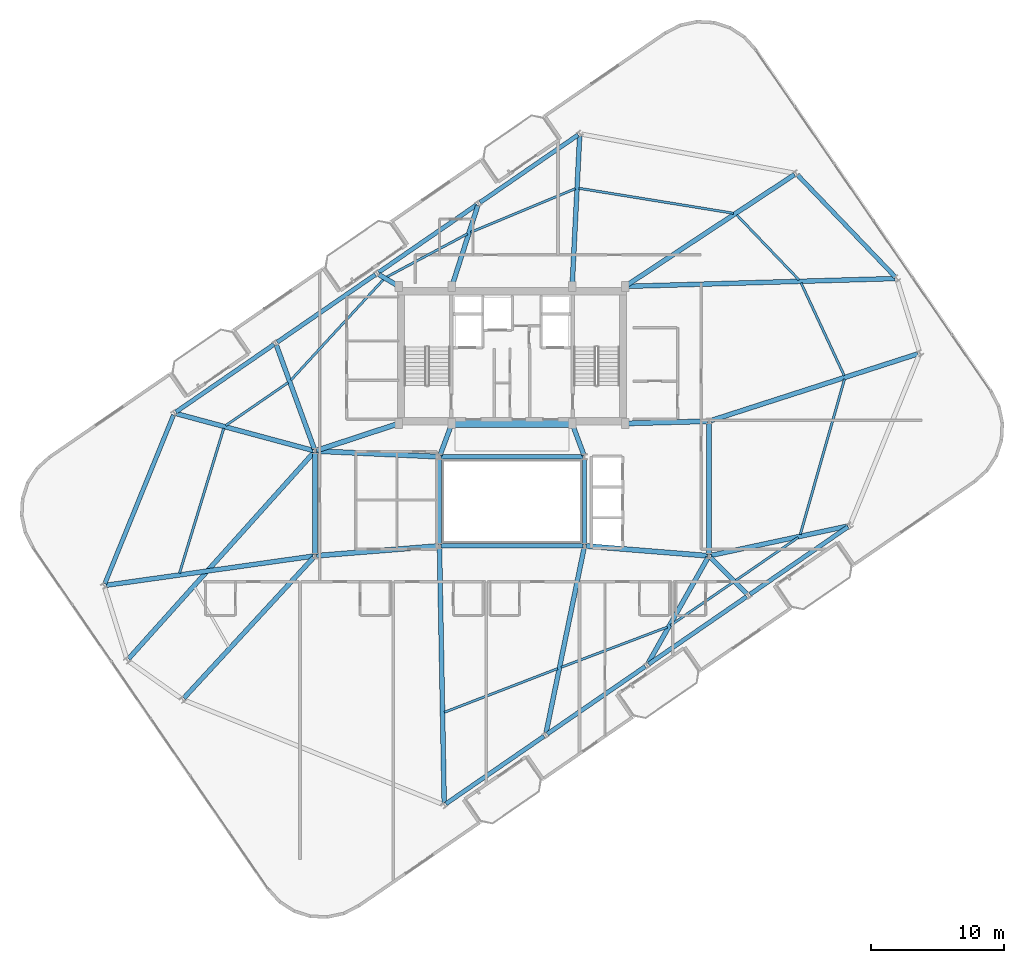
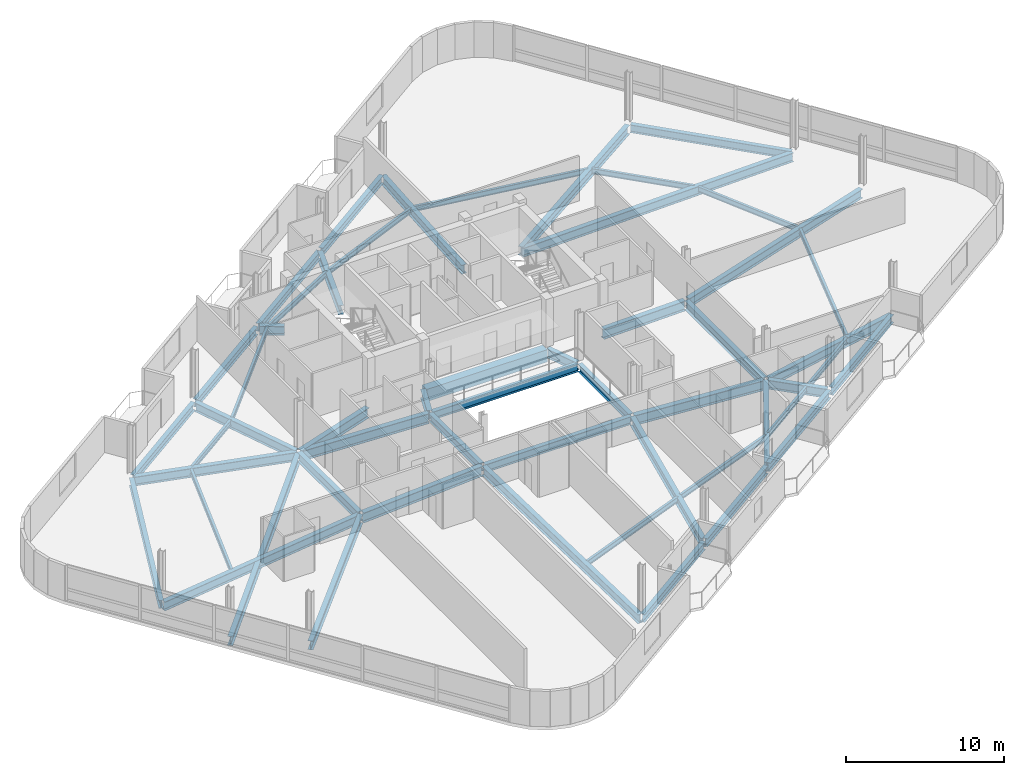
# One storey, part 7 of 22: 53 beams.
"""IFC4 building model written with IfcOpenShell, lengths in metres."""

from ifc_helpers import new_model, si_unit, direction, frame, origin, origin_2d, place, context, subcontext, project, spatial, rectangle, i_section, extrude, material, material_profile, profile_set, type_object, element, save


model = new_model("IFC4")

# Units and contexts
model_context = context("Model", 3, precision=1e-05, world=origin(), true_north=direction((0.0, 1.0)))
body_context = subcontext(model_context, "Body", "Model", "MODEL_VIEW")
ifc_project = project(units=[si_unit("LENGTHUNIT", "METRE"), si_unit("AREAUNIT", "SQUARE_METRE"), si_unit("VOLUMEUNIT", "CUBIC_METRE"), si_unit("PLANEANGLEUNIT", "RADIAN"), si_unit("MASSUNIT", "GRAM", prefix="KILO")], contexts=[model_context])

# Site, building, storey
site_placement = place(None, origin())
site = spatial("IfcSite", under=ifc_project, at=site_placement, CompositionType="ELEMENT")
building_placement = place(site_placement, origin())
building = spatial("IfcBuilding", under=site, at=building_placement, Name="Varnelok Gate Tower", CompositionType="ELEMENT")
storey_placement = place(building_placement, frame((0.0, 0.0, 284.10009765625)))
storey = spatial("IfcBuildingStorey", under=building, at=storey_placement, Name="L73", CompositionType="ELEMENT", Elevation=284.10009765625)

# Beams
ifc_material_1 = material(Name="Structural Steel ASTM A992 Grade 50", Category="steel")
ifc_material_profile_1 = material_profile(ifc_material_1, i_section(OverallWidth=0.180908203125, OverallDepth=0.4169921875, WebThickness=0.010986328125, FlangeThickness=0.018310546875, FilletRadius=0.013916015625, at=origin_2d()), Name="W16X57")
ifc_profile_set_1 = profile_set([ifc_material_profile_1], Name="Structural Steel ASTM A992 Grade 50")
beam_type_1 = type_object("IfcBeamType", Name="BM-JST-W16X57", PredefinedType="JOIST", material=ifc_profile_set_1)
beam_1_placement = place(storey_placement, frame((34.111083984375, 7.042724609375, -0.45849609375), z_axis=(0.933121499822, 0.359561213941, 0.0), x_axis=(-0.359561213941, 0.933121499822, 0.0)))
element("IfcBeam", 1, at=beam_1_placement, inside=storey, type_object=beam_type_1, Name="L73 Sector Floor Joist 1", PredefinedType="JOIST", context=body_context, shape_type="SweptSolid", body=[
    extrude(i_section(OverallWidth=0.180908203125, OverallDepth=0.4169921875, WebThickness=0.010986328125, FlangeThickness=0.018310546875, FilletRadius=0.013916015625, at=origin_2d()), origin(), (0.0, 0.0, 1.0), 9.132568359375),
])
beam_2_placement = place(storey_placement, frame((42.894287109375, 10.426513671875, -0.45849609375), z_axis=(0.935178851942, 0.354175824811, 0.0), x_axis=(-0.354175824811, 0.935178851942, 0.0)))
element("IfcBeam", 2, at=beam_2_placement, inside=storey, type_object=beam_type_1, Name="L73 Sector Floor Joist 2", PredefinedType="JOIST", context=body_context, shape_type="SweptSolid", body=[
    extrude(i_section(OverallWidth=0.180908203125, OverallDepth=0.4169921875, WebThickness=0.010986328125, FlangeThickness=0.018310546875, FilletRadius=0.013916015625, at=origin_2d()), origin(), (0.0, 0.0, 1.0), 8.5234375),
])
beam_3_placement = place(storey_placement, frame((51.111328125, 13.574462890625, -0.45849609375), z_axis=(0.823539247512, 0.567259295038, 0.0), x_axis=(-0.567259295038, 0.823539247512, 0.0)))
element("IfcBeam", 3, at=beam_3_placement, inside=storey, type_object=beam_type_1, Name="L73 Sector Floor Joist 3", PredefinedType="JOIST", context=body_context, shape_type="SweptSolid", body=[
    extrude(i_section(OverallWidth=0.180908203125, OverallDepth=0.4169921875, WebThickness=0.010986328125, FlangeThickness=0.018310546875, FilletRadius=0.013916015625, at=origin_2d()), origin(), (0.0, 0.0, 1.0), 5.686279296875),
])
beam_4_placement = place(storey_placement, frame((56.02490234375, 16.958984375, -0.45849609375), z_axis=(0.823525430971, 0.56727935318, 0.0), x_axis=(-0.56727935318, 0.823525430971, 0.0)))
element("IfcBeam", 4, at=beam_4_placement, inside=storey, type_object=beam_type_1, Name="L73 Sector Floor Joist 4", PredefinedType="JOIST", context=body_context, shape_type="SweptSolid", body=[
    extrude(i_section(OverallWidth=0.180908203125, OverallDepth=0.4169921875, WebThickness=0.010986328125, FlangeThickness=0.018310546875, FilletRadius=0.013916015625, at=origin_2d()), origin(), (0.0, 0.0, 1.0), 5.68603515625),
])
beam_5_placement = place(storey_placement, frame((60.861083984375, 20.398681640625, -0.45849609375), z_axis=(0.273956612582, 0.961742051916, 0.0), x_axis=(-0.961742051916, 0.273956612582, 0.0)))
element("IfcBeam", 5, at=beam_5_placement, inside=storey, type_object=beam_type_1, Name="L73 Sector Floor Joist 5", PredefinedType="JOIST", context=body_context, shape_type="SweptSolid", body=[
    extrude(i_section(OverallWidth=0.180908203125, OverallDepth=0.4169921875, WebThickness=0.010986328125, FlangeThickness=0.018310546875, FilletRadius=0.013916015625, at=origin_2d()), origin(), (0.0, 0.0, 1.0), 12.1484375),
])
beam_6_placement = place(storey_placement, frame((64.16845703125, 32.34375, -0.45849609375), z_axis=(-0.422053454255, 0.906570946893, 0.0), x_axis=(-0.906570946893, -0.422053454255, 0.0)))
element("IfcBeam", 6, at=beam_6_placement, inside=storey, type_object=beam_type_1, Name="L73 Sector Floor Joist 6", PredefinedType="JOIST", context=body_context, shape_type="SweptSolid", body=[
    extrude(i_section(OverallWidth=0.180908203125, OverallDepth=0.4169921875, WebThickness=0.010986328125, FlangeThickness=0.018310546875, FilletRadius=0.013916015625, at=origin_2d()), origin(), (0.0, 0.0, 1.0), 7.68017578125),
])
beam_7_placement = place(storey_placement, frame((60.771240234375, 39.534423828125, -0.45849609375), z_axis=(-0.691799625081, 0.722089522661, 0.0), x_axis=(-0.722089522661, -0.691799625081, 0.0)))
element("IfcBeam", 7, at=beam_7_placement, inside=storey, type_object=beam_type_1, Name="L73 Sector Floor Joist 7", PredefinedType="JOIST", context=body_context, shape_type="SweptSolid", body=[
    extrude(i_section(OverallWidth=0.180908203125, OverallDepth=0.4169921875, WebThickness=0.010986328125, FlangeThickness=0.018310546875, FilletRadius=0.013916015625, at=origin_2d()), origin(), (0.0, 0.0, 1.0), 6.7705078125),
])
beam_8_placement = place(storey_placement, frame((55.852294921875, 44.546630859375, -0.45849609375), z_axis=(-0.987191659333, 0.159538796988, 0.0), x_axis=(-0.159538796988, -0.987191659333, 0.0)))
element("IfcBeam", 8, at=beam_8_placement, inside=storey, type_object=beam_type_1, Name="L73 Sector Floor Joist 8", PredefinedType="JOIST", context=body_context, shape_type="SweptSolid", body=[
    extrude(i_section(OverallWidth=0.180908203125, OverallDepth=0.4169921875, WebThickness=0.010986328125, FlangeThickness=0.018310546875, FilletRadius=0.013916015625, at=origin_2d()), origin(), (0.0, 0.0, 1.0), 11.775634765625),
])
beam_9_placement = place(storey_placement, frame((43.960205078125, 46.393798828125, -0.45849609375), z_axis=(-0.923073531775, -0.38462352364, 0.0), x_axis=(0.38462352364, -0.923073531775, 0.0)))
element("IfcBeam", 9, at=beam_9_placement, inside=storey, type_object=beam_type_1, Name="L73 Sector Floor Joist 9", PredefinedType="JOIST", context=body_context, shape_type="SweptSolid", body=[
    extrude(i_section(OverallWidth=0.180908203125, OverallDepth=0.4169921875, WebThickness=0.010986328125, FlangeThickness=0.018310546875, FilletRadius=0.013916015625, at=origin_2d()), origin(), (0.0, 0.0, 1.0), 8.51953125),
])
beam_10_placement = place(storey_placement, frame((35.84326171875, 42.9970703125, -0.45849609375), z_axis=(-0.881757241226, -0.471703474172, 0.0), x_axis=(0.471703474172, -0.881757241226, 0.0)))
element("IfcBeam", 10, at=beam_10_placement, inside=storey, type_object=beam_type_1, Name="L73 Sector Floor Joist 10", PredefinedType="JOIST", context=body_context, shape_type="SweptSolid", body=[
    extrude(i_section(OverallWidth=0.180908203125, OverallDepth=0.4169921875, WebThickness=0.010986328125, FlangeThickness=0.018310546875, FilletRadius=0.013916015625, at=origin_2d()), origin(), (0.0, 0.0, 1.0), 6.89453125),
])
beam_11_placement = place(storey_placement, frame((29.545654296875, 39.57568359375, -0.45849609375), z_axis=(-0.676856949557, -0.736114576568, 0.0), x_axis=(0.736114576568, -0.676856949557, 0.0)))
element("IfcBeam", 11, at=beam_11_placement, inside=storey, type_object=beam_type_1, Name="L73 Sector Floor Joist 11", PredefinedType="JOIST", context=body_context, shape_type="SweptSolid", body=[
    extrude(i_section(OverallWidth=0.180908203125, OverallDepth=0.4169921875, WebThickness=0.010986328125, FlangeThickness=0.018310546875, FilletRadius=0.013916015625, at=origin_2d()), origin(), (0.0, 0.0, 1.0), 10.283447265625),
])
beam_12_placement = place(storey_placement, frame((22.375244140625, 31.823486328125, -0.45849609375), z_axis=(-0.823539247512, -0.567259295038, 0.0), x_axis=(0.567259295038, -0.823539247512, 0.0)))
element("IfcBeam", 12, at=beam_12_placement, inside=storey, type_object=beam_type_1, Name="L73 Sector Floor Joist 12", PredefinedType="JOIST", context=body_context, shape_type="SweptSolid", body=[
    extrude(i_section(OverallWidth=0.180908203125, OverallDepth=0.4169921875, WebThickness=0.010986328125, FlangeThickness=0.018310546875, FilletRadius=0.013916015625, at=origin_2d()), origin(), (0.0, 0.0, 1.0), 5.686279296875),
])
beam_13_placement = place(storey_placement, frame((17.536376953125, 28.384521484375, -0.45849609375), z_axis=(-0.291879125048, -0.956455213986, 0.0), x_axis=(0.956455213986, -0.291879125048, 0.0)))
element("IfcBeam", 13, at=beam_13_placement, inside=storey, type_object=beam_type_1, Name="L73 Sector Floor Joist 13", PredefinedType="JOIST", context=body_context, shape_type="SweptSolid", body=[
    extrude(i_section(OverallWidth=0.180908203125, OverallDepth=0.4169921875, WebThickness=0.010986328125, FlangeThickness=0.018310546875, FilletRadius=0.013916015625, at=origin_2d()), origin(), (0.0, 0.0, 1.0), 11.3857421875),
])
ifc_material_2 = material(Name="Concrete C60/75", Category="concrete")
ifc_material_profile_2 = material_profile(ifc_material_2, rectangle(XDim=0.60009765625, YDim=0.949951171875, at=origin_2d()), Name="RC950X600")
ifc_profile_set_2 = profile_set([ifc_material_profile_2], Name="Concrete C60/75")
beam_type_2 = type_object("IfcBeamType", Name="BM-LNT-RC950", PredefinedType="LINTEL", material=ifc_profile_set_2)
beam_14_placement = place(storey_placement, frame((34.800048828125, 28.75, -0.72509765625), z_axis=(1.0, 0.0, 0.0), x_axis=(0.0, 1.0, 0.0)))
element("IfcBeam", 14, at=beam_14_placement, inside=storey, type_object=beam_type_2, Name="L73 Core-Atrium Spine Beam 7", PredefinedType="LINTEL", context=body_context, shape_type="SweptSolid", body=[
    extrude(rectangle(XDim=0.60009765625, YDim=0.949951171875, at=origin_2d()), origin(), (0.0, 0.0, 1.0), 8.800048828125),
])
ifc_material_profile_3 = material_profile(ifc_material_1, i_section(OverallWidth=0.35498046875, OverallDepth=0.696044921875, WebThickness=0.015380859375, FlangeThickness=0.02490234375, FilletRadius=0.02001953125, at=origin_2d()), Name="W27X146")
ifc_profile_set_3 = profile_set([ifc_material_profile_3], Name="Structural Steel ASTM A992 Grade 50")
beam_type_3 = type_object("IfcBeamType", Name="BM-PRI-W27X146", PredefinedType="BEAM", material=ifc_profile_set_3)
for number, where, z_axis, x_axis, name in (
    (15, (33.791748046875, 26.362548828125, -0.59814453125), (0.348719329408, 0.937227202602, 0.0), (-0.937227202602, 0.348719329408, 0.0), "L73 Core-Atrium Spine Beam 12"),
    (16, (44.608154296875, 26.362548828125, -0.59814453125), (-0.348719329408, 0.937227202602, 0.0), (-0.937227202602, -0.348719329408, 0.0), "L73 Core-Atrium Spine Beam 13"),
):
    element("IfcBeam", number, at=place(storey_placement, frame(where, z_axis=z_axis, x_axis=x_axis)), inside=storey, type_object=beam_type_3, Name=name, PredefinedType="BEAM", context=body_context, shape_type="SweptSolid", body=[
        extrude(i_section(OverallWidth=0.35498046875, OverallDepth=0.696044921875, WebThickness=0.015380859375, FlangeThickness=0.02490234375, FilletRadius=0.02001953125, at=origin_2d()), origin(), (0.0, 0.0, 1.0), 2.42724609375),
    ])
beam_15_placement = place(storey_placement, frame((24.39990234375, 18.919921875, -0.59814453125), z_axis=(0.0, 1.0, 0.0), x_axis=(-1.0, 0.0, 0.0)))
element("IfcBeam", 17, at=beam_15_placement, inside=storey, type_object=beam_type_3, Name="L73 Core-Atrium Spine Beam 16", PredefinedType="BEAM", context=body_context, shape_type="SweptSolid", body=[
    extrude(i_section(OverallWidth=0.35498046875, OverallDepth=0.696044921875, WebThickness=0.015380859375, FlangeThickness=0.02490234375, FilletRadius=0.02001953125, at=origin_2d()), origin(), (0.0, 0.0, 1.0), 7.64013671875),
])
beam_16_placement = place(storey_placement, frame((54.0, 18.919921875, -0.59814453125), z_axis=(0.0, 1.0, 0.0), x_axis=(-1.0, 0.0, 0.0)))
element("IfcBeam", 18, at=beam_16_placement, inside=storey, type_object=beam_type_3, Name="L73 Core-Atrium Spine Beam 20", PredefinedType="BEAM", context=body_context, shape_type="SweptSolid", body=[
    extrude(i_section(OverallWidth=0.35498046875, OverallDepth=0.696044921875, WebThickness=0.015380859375, FlangeThickness=0.02490234375, FilletRadius=0.02001953125, at=origin_2d()), origin(), (0.0, 0.0, 1.0), 9.880126953125),
])
beam_17_placement = place(storey_placement, frame((33.752685546875, 19.39990234375, -0.59814453125), z_axis=(0.018349623406, -0.999831631486, 0.0), x_axis=(0.999831631486, 0.018349623406, 0.0)))
element("IfcBeam", 19, at=beam_17_placement, inside=storey, type_object=beam_type_3, Name="L73 Radial Floor Girder 1", PredefinedType="BEAM", context=body_context, shape_type="SweptSolid", body=[
    extrude(i_section(OverallWidth=0.35498046875, OverallDepth=0.696044921875, WebThickness=0.015380859375, FlangeThickness=0.02490234375, FilletRadius=0.02001953125, at=origin_2d()), origin(), (0.0, 0.0, 1.0), 19.17236328125),
])
beam_18_placement = place(storey_placement, frame((44.619873046875, 19.403076171875, -0.59814453125), z_axis=(-0.201445575576, -0.979499709077, 0.0), x_axis=(0.979499709077, -0.201445575576, 0.0)))
element("IfcBeam", 20, at=beam_18_placement, inside=storey, type_object=beam_type_3, Name="L73 Radial Floor Girder 2", PredefinedType="BEAM", context=body_context, shape_type="SweptSolid", body=[
    extrude(i_section(OverallWidth=0.35498046875, OverallDepth=0.696044921875, WebThickness=0.015380859375, FlangeThickness=0.02490234375, FilletRadius=0.02001953125, at=origin_2d()), origin(), (0.0, 0.0, 1.0), 14.2197265625),
])
beam_19_placement = place(storey_placement, frame((53.926025390625, 18.66943359375, -0.59814453125), z_axis=(-0.49272782428, -0.870183481331, 0.0), x_axis=(0.870183481331, -0.49272782428, 0.0)))
element("IfcBeam", 21, at=beam_19_placement, inside=storey, type_object=beam_type_3, Name="L73 Radial Floor Girder 3", PredefinedType="BEAM", context=body_context, shape_type="SweptSolid", body=[
    extrude(i_section(OverallWidth=0.35498046875, OverallDepth=0.696044921875, WebThickness=0.015380859375, FlangeThickness=0.02490234375, FilletRadius=0.02001953125, at=origin_2d()), origin(), (0.0, 0.0, 1.0), 9.151611328125),
])
beam_20_placement = place(storey_placement, frame((54.105712890625, 18.693603515625, -0.59814453125), z_axis=(0.705068615511, -0.709139088911, 0.0), x_axis=(0.709139088911, 0.705068615511, 0.0)))
element("IfcBeam", 22, at=beam_20_placement, inside=storey, type_object=beam_type_3, Name="L73 Radial Floor Girder 4", PredefinedType="BEAM", context=body_context, shape_type="SweptSolid", body=[
    extrude(i_section(OverallWidth=0.35498046875, OverallDepth=0.696044921875, WebThickness=0.015380859375, FlangeThickness=0.02490234375, FilletRadius=0.02001953125, at=origin_2d()), origin(), (0.0, 0.0, 1.0), 3.898681640625),
])
beam_21_placement = place(storey_placement, frame((54.146728515625, 18.83154296875, -0.59814453125), z_axis=(0.977750075893, 0.209773184872, 0.0), x_axis=(-0.209773184872, 0.977750075893, 0.0)))
element("IfcBeam", 23, at=beam_21_placement, inside=storey, type_object=beam_type_3, Name="L73 Radial Floor Girder 5", PredefinedType="BEAM", context=body_context, shape_type="SweptSolid", body=[
    extrude(i_section(OverallWidth=0.35498046875, OverallDepth=0.696044921875, WebThickness=0.015380859375, FlangeThickness=0.02490234375, FilletRadius=0.02001953125, at=origin_2d()), origin(), (0.0, 0.0, 1.0), 10.518798828125),
])
beam_22_placement = place(storey_placement, frame((54.142822265625, 28.966064453125, -0.59814453125), z_axis=(0.95177048337, 0.306810930356, 0.0), x_axis=(-0.306810930356, 0.95177048337, 0.0)))
element("IfcBeam", 24, at=beam_22_placement, inside=storey, type_object=beam_type_3, Name="L73 Radial Floor Girder 6", PredefinedType="BEAM", context=body_context, shape_type="SweptSolid", body=[
    extrude(i_section(OverallWidth=0.35498046875, OverallDepth=0.696044921875, WebThickness=0.015380859375, FlangeThickness=0.02490234375, FilletRadius=0.02001953125, at=origin_2d()), origin(), (0.0, 0.0, 1.0), 16.3603515625),
])
beam_23_placement = place(storey_placement, frame((47.849853515625, 39.054443359375, -0.59814453125), z_axis=(0.999576755953, 0.029091389778, 0.0), x_axis=(-0.029091389778, 0.999576755953, 0.0)))
element("IfcBeam", 25, at=beam_23_placement, inside=storey, type_object=beam_type_3, Name="L73 Radial Floor Girder 7", PredefinedType="BEAM", context=body_context, shape_type="SweptSolid", body=[
    extrude(i_section(OverallWidth=0.35498046875, OverallDepth=0.696044921875, WebThickness=0.015380859375, FlangeThickness=0.02490234375, FilletRadius=0.02001953125, at=origin_2d()), origin(), (0.0, 0.0, 1.0), 20.12451171875),
])
beam_24_placement = place(storey_placement, frame((47.8251953125, 39.1328125, -0.59814453125), z_axis=(0.834499250809, 0.551009074697, 0.0), x_axis=(-0.551009074697, 0.834499250809, 0.0)))
element("IfcBeam", 26, at=beam_24_placement, inside=storey, type_object=beam_type_3, Name="L73 Radial Floor Girder 8", PredefinedType="BEAM", context=body_context, shape_type="SweptSolid", body=[
    extrude(i_section(OverallWidth=0.35498046875, OverallDepth=0.696044921875, WebThickness=0.015380859375, FlangeThickness=0.02490234375, FilletRadius=0.02001953125, at=origin_2d()), origin(), (0.0, 0.0, 1.0), 15.102783203125),
])
beam_25_placement = place(storey_placement, frame((43.7275390625, 39.19970703125, -0.59814453125), z_axis=(0.049860312634, 0.998756201094, 0.0), x_axis=(-0.998756201094, 0.049860312634, 0.0)))
element("IfcBeam", 27, at=beam_25_placement, inside=storey, type_object=beam_type_3, Name="L73 Radial Floor Girder 9", PredefinedType="BEAM", context=body_context, shape_type="SweptSolid", body=[
    extrude(i_section(OverallWidth=0.35498046875, OverallDepth=0.696044921875, WebThickness=0.015380859375, FlangeThickness=0.02490234375, FilletRadius=0.02001953125, at=origin_2d()), origin(), (0.0, 0.0, 1.0), 11.18359375),
])
beam_26_placement = place(storey_placement, frame((34.725830078125, 39.19287109375, -0.59814453125), z_axis=(0.305315663047, 0.952251198948, 0.0), x_axis=(-0.952251198948, 0.305315663047, 0.0)))
element("IfcBeam", 28, at=beam_26_placement, inside=storey, type_object=beam_type_3, Name="L73 Radial Floor Girder 10", PredefinedType="BEAM", context=body_context, shape_type="SweptSolid", body=[
    extrude(i_section(OverallWidth=0.35498046875, OverallDepth=0.696044921875, WebThickness=0.015380859375, FlangeThickness=0.02490234375, FilletRadius=0.02001953125, at=origin_2d()), origin(), (0.0, 0.0, 1.0), 6.23388671875),
])
beam_27_placement = place(storey_placement, frame((30.571044921875, 39.12646484375, -0.59814453125), z_axis=(-0.859971198292, 0.510342569367, 0.0), x_axis=(-0.510342569367, -0.859971198292, 0.0)))
element("IfcBeam", 29, at=beam_27_placement, inside=storey, type_object=beam_type_3, Name="L73 Radial Floor Girder 11", PredefinedType="BEAM", context=body_context, shape_type="SweptSolid", body=[
    extrude(i_section(OverallWidth=0.35498046875, OverallDepth=0.696044921875, WebThickness=0.015380859375, FlangeThickness=0.02490234375, FilletRadius=0.02001953125, at=origin_2d()), origin(), (0.0, 0.0, 1.0), 1.6103515625),
])
beam_28_placement = place(storey_placement, frame((24.348388671875, 26.82080078125, -0.59814453125), z_axis=(-0.343337291508, 0.939212172121, 0.0), x_axis=(-0.939212172121, -0.343337291508, 0.0)))
element("IfcBeam", 30, at=beam_28_placement, inside=storey, type_object=beam_type_3, Name="L73 Radial Floor Girder 12", PredefinedType="BEAM", context=body_context, shape_type="SweptSolid", body=[
    extrude(i_section(OverallWidth=0.35498046875, OverallDepth=0.696044921875, WebThickness=0.015380859375, FlangeThickness=0.02490234375, FilletRadius=0.02001953125, at=origin_2d()), origin(), (0.0, 0.0, 1.0), 8.32177734375),
])
beam_29_placement = place(storey_placement, frame((24.255126953125, 26.718994140625, -0.59814453125), z_axis=(-0.965561980059, 0.260173139782, 0.0), x_axis=(-0.260173139782, -0.965561980059, 0.0)))
element("IfcBeam", 31, at=beam_29_placement, inside=storey, type_object=beam_type_3, Name="L73 Radial Floor Girder 13", PredefinedType="BEAM", context=body_context, shape_type="SweptSolid", body=[
    extrude(i_section(OverallWidth=0.35498046875, OverallDepth=0.696044921875, WebThickness=0.015380859375, FlangeThickness=0.02490234375, FilletRadius=0.02001953125, at=origin_2d()), origin(), (0.0, 0.0, 1.0), 10.6552734375),
])
beam_30_placement = place(storey_placement, frame((24.25146484375, 18.779052734375, -0.59814453125), z_axis=(-0.990242546669, -0.139354579277, 0.0), x_axis=(0.139354579277, -0.990242546669, 0.0)))
element("IfcBeam", 32, at=beam_30_placement, inside=storey, type_object=beam_type_3, Name="L73 Radial Floor Girder 14", PredefinedType="BEAM", context=body_context, shape_type="SweptSolid", body=[
    extrude(i_section(OverallWidth=0.35498046875, OverallDepth=0.696044921875, WebThickness=0.015380859375, FlangeThickness=0.02490234375, FilletRadius=0.02001953125, at=origin_2d()), origin(), (0.0, 0.0, 1.0), 15.713134765625),
])
beam_31_placement = place(storey_placement, frame((24.2998046875, 26.568359375, -0.59814453125), z_axis=(-0.668020095308, -0.744143233702, 0.0), x_axis=(0.744143233702, -0.668020095308, 0.0)))
element("IfcBeam", 33, at=beam_31_placement, inside=storey, type_object=beam_type_3, Name="L73 Radial Floor Girder 15", PredefinedType="BEAM", context=body_context, shape_type="SweptSolid", body=[
    extrude(i_section(OverallWidth=0.35498046875, OverallDepth=0.696044921875, WebThickness=0.015380859375, FlangeThickness=0.02490234375, FilletRadius=0.02001953125, at=origin_2d()), origin(), (0.0, 0.0, 1.0), 20.83056640625),
])
beam_32_placement = place(storey_placement, frame((24.29833984375, 18.689697265625, -0.59814453125), z_axis=(-0.677969926739, -0.73508963973, 0.0), x_axis=(0.73508963973, -0.677969926739, 0.0)))
element("IfcBeam", 34, at=beam_32_placement, inside=storey, type_object=beam_type_3, Name="L73 Radial Floor Girder 16", PredefinedType="BEAM", context=body_context, shape_type="SweptSolid", body=[
    extrude(i_section(OverallWidth=0.35498046875, OverallDepth=0.696044921875, WebThickness=0.015380859375, FlangeThickness=0.02490234375, FilletRadius=0.02001953125, at=origin_2d()), origin(), (0.0, 0.0, 1.0), 14.386962890625),
])
ifc_material_profile_4 = material_profile(ifc_material_1, i_section(OverallWidth=0.381103515625, OverallDepth=0.77294921875, WebThickness=0.0166015625, FlangeThickness=0.027099609375, FilletRadius=0.02197265625, at=origin_2d()), Name="W30X173")
ifc_profile_set_4 = profile_set([ifc_material_profile_4], Name="Structural Steel ASTM A992 Grade 50")
beam_type_4 = type_object("IfcBeamType", Name="BM-PRI-W30X173", PredefinedType="BEAM", material=ifc_profile_set_4)
beam_33_placement = place(storey_placement, frame((24.51953125, 18.8095703125, -0.63671875), z_axis=(0.996799206292, 0.07994587128, 0.0), x_axis=(-0.07994587128, 0.996799206292, 0.0)))
element("IfcBeam", 35, at=beam_33_placement, inside=storey, type_object=beam_type_4, Name="L73 Core-Atrium Spine Beam 14", PredefinedType="BEAM", context=body_context, shape_type="SweptSolid", body=[
    extrude(i_section(OverallWidth=0.381103515625, OverallDepth=0.77294921875, WebThickness=0.0166015625, FlangeThickness=0.027099609375, FilletRadius=0.02197265625, at=origin_2d()), origin(), (0.0, 0.0, 1.0), 9.14013671875),
])
beam_34_placement = place(storey_placement, frame((24.52001953125, 26.674560546875, -0.63671875), z_axis=(0.99894427814, -0.045938319209, 0.0), x_axis=(0.045938319209, 0.99894427814, 0.0)))
element("IfcBeam", 36, at=beam_34_placement, inside=storey, type_object=beam_type_4, Name="L73 Core-Atrium Spine Beam 15", PredefinedType="BEAM", context=body_context, shape_type="SweptSolid", body=[
    extrude(i_section(OverallWidth=0.381103515625, OverallDepth=0.77294921875, WebThickness=0.0166015625, FlangeThickness=0.027099609375, FilletRadius=0.02197265625, at=origin_2d()), origin(), (0.0, 0.0, 1.0), 9.11962890625),
])
beam_35_placement = place(storey_placement, frame((24.513916015625, 26.717529296875, -0.63671875), z_axis=(0.950041943788, 0.312122259768, 0.0), x_axis=(-0.312122259768, 0.950041943788, 0.0)))
element("IfcBeam", 37, at=beam_35_placement, inside=storey, type_object=beam_type_4, Name="L73 Core-Atrium Spine Beam 17", PredefinedType="BEAM", context=body_context, shape_type="SweptSolid", body=[
    extrude(i_section(OverallWidth=0.381103515625, OverallDepth=0.77294921875, WebThickness=0.0166015625, FlangeThickness=0.027099609375, FilletRadius=0.02197265625, at=origin_2d()), origin(), (0.0, 0.0, 1.0), 6.391357421875),
])
beam_36_placement = place(storey_placement, frame((44.76953125, 19.540283203125, -0.63671875), z_axis=(0.996799206292, -0.07994587128, 0.0), x_axis=(0.07994587128, 0.996799206292, 0.0)))
element("IfcBeam", 38, at=beam_36_placement, inside=storey, type_object=beam_type_4, Name="L73 Core-Atrium Spine Beam 18", PredefinedType="BEAM", context=body_context, shape_type="SweptSolid", body=[
    extrude(i_section(OverallWidth=0.381103515625, OverallDepth=0.77294921875, WebThickness=0.0166015625, FlangeThickness=0.027099609375, FilletRadius=0.02197265625, at=origin_2d()), origin(), (0.0, 0.0, 1.0), 9.14013671875),
])
beam_37_placement = place(storey_placement, frame((47.820068359375, 28.753173828125, -0.63671875), z_axis=(0.999635880609, 0.026983443053, 0.0), x_axis=(-0.026983443053, 0.999635880609, 0.0)))
element("IfcBeam", 39, at=beam_37_placement, inside=storey, type_object=beam_type_4, Name="L73 Core-Atrium Spine Beam 19", PredefinedType="BEAM", context=body_context, shape_type="SweptSolid", body=[
    extrude(i_section(OverallWidth=0.381103515625, OverallDepth=0.77294921875, WebThickness=0.0166015625, FlangeThickness=0.027099609375, FilletRadius=0.02197265625, at=origin_2d()), origin(), (0.0, 0.0, 1.0), 6.06201171875),
])
ifc_material_profile_5 = material_profile(ifc_material_1, i_section(OverallWidth=0.323974609375, OverallDepth=0.611083984375, WebThickness=0.0126953125, FlangeThickness=0.01904296875, FilletRadius=0.01806640625, at=origin_2d()), Name="W24X104")
ifc_profile_set_5 = profile_set([ifc_material_profile_5], Name="Structural Steel ASTM A992 Grade 50")
beam_type_5 = type_object("IfcBeamType", Name="BM-SPN-W24X104", PredefinedType="SPANDREL", material=ifc_profile_set_5)
for number, where, z_axis, x_axis, name in (
    (40, (33.8701171875, 19.550048828125, -0.5556640625), (1.0, 0.0, 0.0), (0.0, 1.0, 0.0), "L73 Core-Atrium Spine Beam 8"),
    (41, (33.8701171875, 26.25, -0.5556640625), (1.0, 0.0, 0.0), (0.0, 1.0, 0.0), "L73 Core-Atrium Spine Beam 9"),
):
    element("IfcBeam", number, at=place(storey_placement, frame(where, z_axis=z_axis, x_axis=x_axis)), inside=storey, type_object=beam_type_5, Name=name, PredefinedType="SPANDREL", context=body_context, shape_type="SweptSolid", body=[
        extrude(i_section(OverallWidth=0.323974609375, OverallDepth=0.611083984375, WebThickness=0.0126953125, FlangeThickness=0.01904296875, FilletRadius=0.01806640625, at=origin_2d()), origin(), (0.0, 0.0, 1.0), 10.659912109375),
    ])
for number, where, z_axis, x_axis, name in (
    (42, (33.75, 19.669921875, -0.5556640625), (0.0, 1.0, 0.0), (-1.0, 0.0, 0.0), "L73 Core-Atrium Spine Beam 10"),
    (43, (44.64990234375, 19.669921875, -0.5556640625), (0.0, 1.0, 0.0), (-1.0, 0.0, 0.0), "L73 Core-Atrium Spine Beam 11"),
):
    element("IfcBeam", number, at=place(storey_placement, frame(where, z_axis=z_axis, x_axis=x_axis)), inside=storey, type_object=beam_type_5, Name=name, PredefinedType="SPANDREL", context=body_context, shape_type="SweptSolid", body=[
        extrude(i_section(OverallWidth=0.323974609375, OverallDepth=0.611083984375, WebThickness=0.0126953125, FlangeThickness=0.01904296875, FilletRadius=0.01806640625, at=origin_2d()), origin(), (0.0, 0.0, 1.0), 6.4599609375),
    ])
for number, where, z_axis, x_axis, name in (
    (44, (34.23095703125, 0.166015625, -0.5556640625), (0.823540167677, 0.567257959153, 0.0), (-0.567257959153, 0.823540167677, 0.0), "L73 Perimeter Spandrel Beam 1"),
    (45, (41.8486328125, 5.4130859375, -0.5556640625), (0.823540167677, 0.567257959153, 0.0), (-0.567257959153, 0.823540167677, 0.0), "L73 Perimeter Spandrel Beam 2"),
    (46, (49.46630859375, 10.660400390625, -0.5556640625), (0.823540167677, 0.567257959153, 0.0), (-0.567257959153, 0.823540167677, 0.0), "L73 Perimeter Spandrel Beam 3"),
    (47, (57.083984375, 15.90771484375, -0.5556640625), (0.823540167677, 0.567257959153, 0.0), (-0.567257959153, 0.823540167677, 0.0), "L73 Perimeter Spandrel Beam 4"),
):
    element("IfcBeam", number, at=place(storey_placement, frame(where, z_axis=z_axis, x_axis=x_axis)), inside=storey, type_object=beam_type_5, Name=name, PredefinedType="SPANDREL", context=body_context, shape_type="SweptSolid", body=[
        extrude(i_section(OverallWidth=0.323974609375, OverallDepth=0.611083984375, WebThickness=0.0126953125, FlangeThickness=0.01904296875, FilletRadius=0.01806640625, at=origin_2d()), origin(), (0.0, 0.0, 1.0), 8.949951171875),
    ])
beam_38_placement = place(storey_placement, frame((68.01171875, 39.75244140625, -0.5556640625), z_axis=(-0.691775667186, 0.722112474819, 0.0), x_axis=(-0.722112474819, -0.691775667186, 0.0)))
element("IfcBeam", 48, at=beam_38_placement, inside=storey, type_object=beam_type_5, Name="L73 Perimeter Spandrel Beam 7", PredefinedType="SPANDREL", context=body_context, shape_type="SweptSolid", body=[
    extrude(i_section(OverallWidth=0.323974609375, OverallDepth=0.611083984375, WebThickness=0.0126953125, FlangeThickness=0.01904296875, FilletRadius=0.01806640625, at=origin_2d()), origin(), (0.0, 0.0, 1.0), 10.630859375),
])
for number, where, z_axis, x_axis, name in (
    (49, (44.169189453125, 50.43408203125, -0.5556640625), (-0.823548945124, -0.567245215921, 0.0), (0.567245215921, -0.823548945124, 0.0), "L73 Perimeter Spandrel Beam 9"),
    (50, (36.551513671875, 45.18701171875, -0.5556640625), (-0.823536202099, -0.567263716301, 0.0), (0.567263716301, -0.823536202099, 0.0), "L73 Perimeter Spandrel Beam 10"),
):
    element("IfcBeam", number, at=place(storey_placement, frame(where, z_axis=z_axis, x_axis=x_axis)), inside=storey, type_object=beam_type_5, Name=name, PredefinedType="SPANDREL", context=body_context, shape_type="SweptSolid", body=[
        extrude(i_section(OverallWidth=0.323974609375, OverallDepth=0.611083984375, WebThickness=0.0126953125, FlangeThickness=0.01904296875, FilletRadius=0.01806640625, at=origin_2d()), origin(), (0.0, 0.0, 1.0), 8.9501953125),
    ])
beam_39_placement = place(storey_placement, frame((28.93359375, 39.939697265625, -0.5556640625), z_axis=(-0.823527424215, -0.567276459555, 0.0), x_axis=(0.567276459555, -0.823527424215, 0.0)))
element("IfcBeam", 51, at=beam_39_placement, inside=storey, type_object=beam_type_5, Name="L73 Perimeter Spandrel Beam 11", PredefinedType="SPANDREL", context=body_context, shape_type="SweptSolid", body=[
    extrude(i_section(OverallWidth=0.323974609375, OverallDepth=0.611083984375, WebThickness=0.0126953125, FlangeThickness=0.01904296875, FilletRadius=0.01806640625, at=origin_2d()), origin(), (0.0, 0.0, 1.0), 8.949951171875),
])
beam_40_placement = place(storey_placement, frame((21.316162109375, 34.6923828125, -0.5556640625), z_axis=(-0.823548945124, -0.567245215921, 0.0), x_axis=(0.567245215921, -0.823548945124, 0.0)))
element("IfcBeam", 52, at=beam_40_placement, inside=storey, type_object=beam_type_5, Name="L73 Perimeter Spandrel Beam 12", PredefinedType="SPANDREL", context=body_context, shape_type="SweptSolid", body=[
    extrude(i_section(OverallWidth=0.323974609375, OverallDepth=0.611083984375, WebThickness=0.0126953125, FlangeThickness=0.01904296875, FilletRadius=0.01806640625, at=origin_2d()), origin(), (0.0, 0.0, 1.0), 8.9501953125),
])
beam_41_placement = place(storey_placement, frame((13.765380859375, 29.391357421875, -0.5556640625), z_axis=(-0.377174006677, -0.926142412746, 0.0), x_axis=(0.926142412746, -0.377174006677, 0.0)))
element("IfcBeam", 53, at=beam_41_placement, inside=storey, type_object=beam_type_5, Name="L73 Perimeter Spandrel Beam 13", PredefinedType="SPANDREL", context=body_context, shape_type="SweptSolid", body=[
    extrude(i_section(OverallWidth=0.323974609375, OverallDepth=0.611083984375, WebThickness=0.0126953125, FlangeThickness=0.01904296875, FilletRadius=0.01806640625, at=origin_2d()), origin(), (0.0, 0.0, 1.0), 13.6953125),
])

save(model, "model.ifc")
